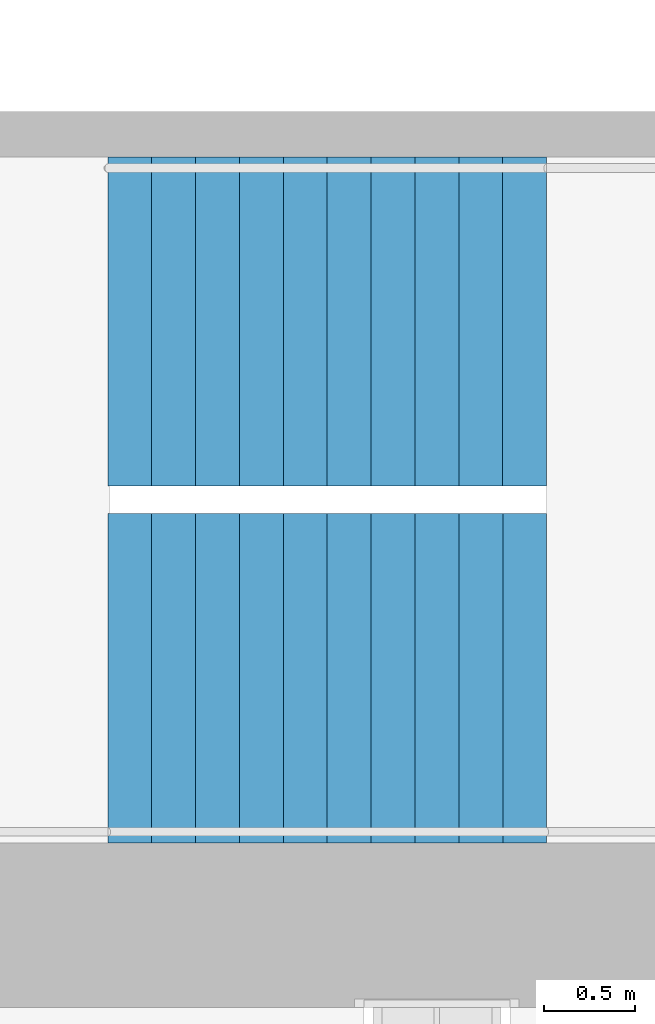
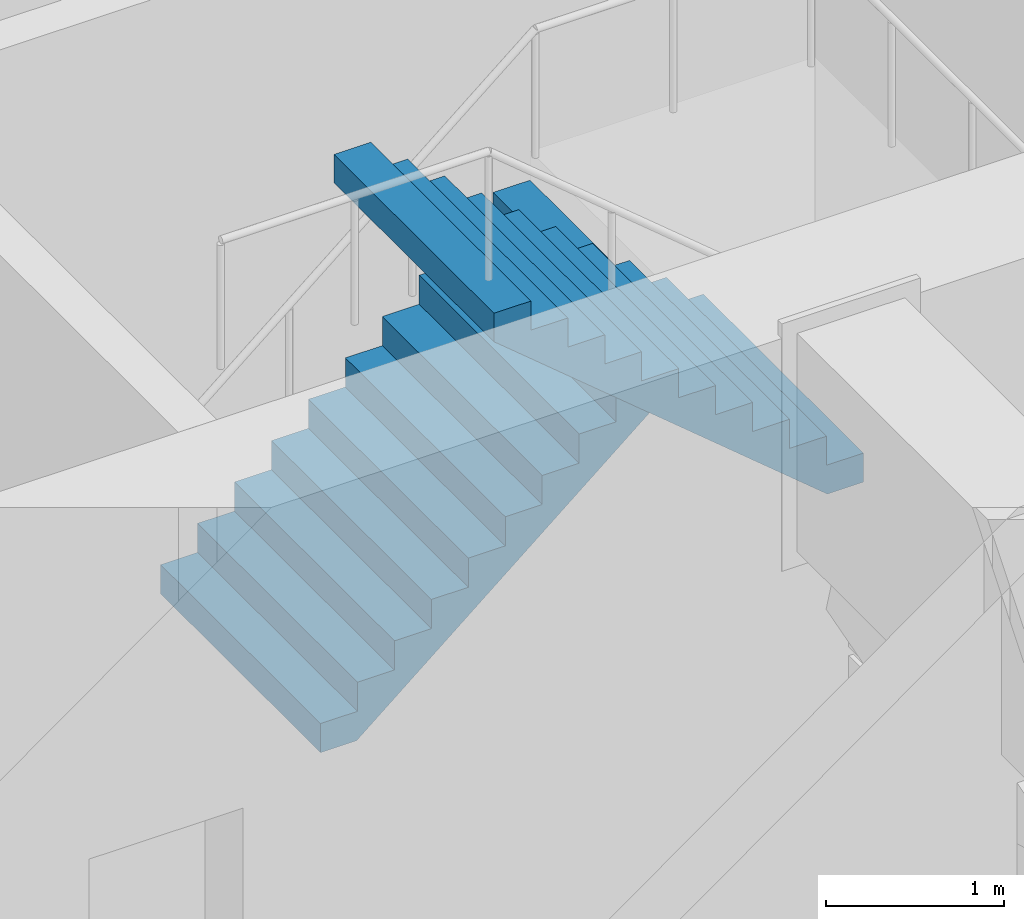
# One storey, part 28 of 31: 2 stair flights, 1 element without a shape of its own.
"""IFC4 building model written with IfcOpenShell, lengths in metres."""

from ifc_helpers import new_model, si_unit, direction, frame, origin, place, context, subcontext, project, spatial, triangles, material, type_object, element, aggregate, save


model = new_model("IFC4")

# Units and contexts
model_context = context("Model", 3, precision=1e-05, world=origin(), true_north=direction((0.0, 1.0)))
body_context = subcontext(model_context, "Body", "Model", "MODEL_VIEW")
ifc_project = project(units=[si_unit("LENGTHUNIT", "METRE"), si_unit("AREAUNIT", "SQUARE_METRE"), si_unit("VOLUMEUNIT", "CUBIC_METRE"), si_unit("PLANEANGLEUNIT", "RADIAN"), si_unit("MASSUNIT", "GRAM", prefix="KILO")], contexts=[model_context])

# Site, building, storey
site_placement = place(None, origin())
site = spatial("IfcSite", under=ifc_project, at=site_placement, CompositionType="ELEMENT")
building_placement = place(site_placement, origin())
building = spatial("IfcBuilding", under=site, at=building_placement, Name="Hakoniwa Tower and Hamabe Station Hall", CompositionType="ELEMENT")
storey_placement = place(building_placement, frame((0.0, 0.0, 120.199951171875)))
storey = spatial("IfcBuildingStorey", under=building, at=storey_placement, Name="L34", CompositionType="ELEMENT", Elevation=120.199951171875)

# Stair, stair flights
ifc_material_1 = material(Name="Concrete C40", Category="concrete")
stair_type = type_object("IfcStairType", Name="ESCAPE STAIR 1800", PredefinedType="HALF_TURN_STAIR", material=ifc_material_1)
stair_placement = place(storey_placement, origin())
stair = element("IfcStair", 1, at=stair_placement, inside=storey, type_object=stair_type, Name="Escape stair ST-4 L34", PredefinedType="HALF_TURN_STAIR")
ifc_material_2 = material(Name="Concrete C40", Category="concrete")
stair_flight_type = type_object("IfcStairFlightType", Name="STAIR FLIGHT 1800", PredefinedType="STRAIGHT", material=ifc_material_2)
stair_flight_1_placement = place(storey_placement, frame((23.39990234375, -4.64990234375, 0.0), z_axis=(0.0, 0.0, 1.0), x_axis=(1.0, 0.0, 0.0)))
stair_flight_1 = element("IfcStairFlight", 2, at=stair_flight_1_placement, type_object=stair_flight_type, Name="ST-4 flight 1", NumberOfRisers=11, NumberOfTreads=10, PredefinedType="STRAIGHT", RiserHeight=0.2, TreadLength=0.24, context=body_context, shape_type="Tessellation", body=[
    triangles([(0.0, 0.89990234375, 0.0), (0.234130859375, 0.89990234375, 0.0), (0.239990234375, 0.89990234375, 0.0048828125), (0.47998046875, 0.89990234375, 0.204833984375), (0.719970703125, 0.89990234375, 0.40478515625), (0.9599609375, 0.89990234375, 0.60498046875), (1.199951171875, 0.89990234375, 0.804931640625), (1.43994140625, 0.89990234375, 1.0048828125), (1.679931640625, 0.89990234375, 1.204833984375), (1.919921875, 0.89990234375, 1.40478515625), (2.159912109375, 0.89990234375, 1.60498046875), (2.39990234375, 0.89990234375, 1.804931640625), (2.39990234375, 0.89990234375, 2.0), (2.159912109375, 0.89990234375, 2.0), (2.159912109375, 0.89990234375, 1.800048828125), (1.919921875, 0.89990234375, 1.800048828125), (1.919921875, 0.89990234375, 1.60009765625), (1.679931640625, 0.89990234375, 1.60009765625), (1.679931640625, 0.89990234375, 1.39990234375), (1.43994140625, 0.89990234375, 1.39990234375), (1.43994140625, 0.89990234375, 1.199951171875), (1.199951171875, 0.89990234375, 1.199951171875), (1.199951171875, 0.89990234375, 1.0), (0.9599609375, 0.89990234375, 1.0), (0.9599609375, 0.89990234375, 0.800048828125), (0.719970703125, 0.89990234375, 0.800048828125), (0.719970703125, 0.89990234375, 0.60009765625), (0.47998046875, 0.89990234375, 0.60009765625), (0.47998046875, 0.89990234375, 0.39990234375), (0.239990234375, 0.89990234375, 0.39990234375), (0.239990234375, 0.89990234375, 0.199951171875), (0.234130859375, 0.89990234375, 0.199951171875), (0.0, 0.89990234375, 0.199951171875), (0.0, 0.06005859375, 0.0), (0.234130859375, 0.06005859375, 0.0), (0.239990234375, 0.06005859375, 0.0048828125), (0.47998046875, 0.06005859375, 0.204833984375), (0.719970703125, 0.06005859375, 0.40478515625), (0.9599609375, 0.06005859375, 0.60498046875), (1.199951171875, 0.06005859375, 0.804931640625), (1.43994140625, 0.06005859375, 1.0048828125), (1.679931640625, 0.06005859375, 1.204833984375), (1.919921875, 0.06005859375, 1.40478515625), (2.159912109375, 0.06005859375, 1.60498046875), (2.39990234375, 0.06005859375, 1.804931640625), (2.39990234375, 0.06005859375, 2.0), (2.159912109375, 0.06005859375, 2.0), (2.159912109375, 0.06005859375, 1.800048828125), (1.919921875, 0.06005859375, 1.800048828125), (1.919921875, 0.06005859375, 1.60009765625), (1.679931640625, 0.06005859375, 1.60009765625), (1.679931640625, 0.06005859375, 1.39990234375), (1.43994140625, 0.06005859375, 1.39990234375), (1.43994140625, 0.06005859375, 1.199951171875), (1.199951171875, 0.06005859375, 1.199951171875), (1.199951171875, 0.06005859375, 1.0), (0.9599609375, 0.06005859375, 1.0), (0.9599609375, 0.06005859375, 0.800048828125), (0.719970703125, 0.06005859375, 0.800048828125), (0.719970703125, 0.06005859375, 0.60009765625), (0.47998046875, 0.06005859375, 0.60009765625), (0.47998046875, 0.06005859375, 0.39990234375), (0.239990234375, 0.06005859375, 0.39990234375), (0.239990234375, 0.06005859375, 0.199951171875), (0.234130859375, 0.06005859375, 0.199951171875), (0.0, 0.06005859375, 0.199951171875), (0.0, 0.02001953125, 0.0), (0.234130859375, 0.02001953125, 0.0), (0.239990234375, 0.02001953125, 0.0048828125), (0.47998046875, 0.02001953125, 0.204833984375), (0.719970703125, 0.02001953125, 0.40478515625), (0.9599609375, 0.02001953125, 0.60498046875), (1.199951171875, 0.02001953125, 0.804931640625), (1.43994140625, 0.02001953125, 1.0048828125), (1.679931640625, 0.02001953125, 1.204833984375), (1.919921875, 0.02001953125, 1.40478515625), (2.159912109375, 0.02001953125, 1.60498046875), (2.39990234375, 0.02001953125, 1.804931640625), (2.39990234375, 0.02001953125, 2.0), (2.159912109375, 0.02001953125, 2.0), (2.159912109375, 0.02001953125, 1.800048828125), (1.919921875, 0.02001953125, 1.800048828125), (1.919921875, 0.02001953125, 1.60009765625), (1.679931640625, 0.02001953125, 1.60009765625), (1.679931640625, 0.02001953125, 1.39990234375), (1.43994140625, 0.02001953125, 1.39990234375), (1.43994140625, 0.02001953125, 1.199951171875), (1.199951171875, 0.02001953125, 1.199951171875), (1.199951171875, 0.02001953125, 1.0), (0.9599609375, 0.02001953125, 1.0), (0.9599609375, 0.02001953125, 0.800048828125), (0.719970703125, 0.02001953125, 0.800048828125), (0.719970703125, 0.02001953125, 0.60009765625), (0.47998046875, 0.02001953125, 0.60009765625), (0.47998046875, 0.02001953125, 0.39990234375), (0.239990234375, 0.02001953125, 0.39990234375), (0.239990234375, 0.02001953125, 0.199951171875), (0.234130859375, 0.02001953125, 0.199951171875), (0.0, 0.02001953125, 0.199951171875), (0.0, -0.02001953125, 0.0), (0.234130859375, -0.02001953125, 0.0), (0.239990234375, -0.02001953125, 0.0048828125), (0.47998046875, -0.02001953125, 0.204833984375), (0.719970703125, -0.02001953125, 0.40478515625), (0.9599609375, -0.02001953125, 0.60498046875), (1.199951171875, -0.02001953125, 0.804931640625), (1.43994140625, -0.02001953125, 1.0048828125), (1.679931640625, -0.02001953125, 1.204833984375), (1.919921875, -0.02001953125, 1.40478515625), (2.159912109375, -0.02001953125, 1.60498046875), (2.39990234375, -0.02001953125, 1.804931640625), (2.39990234375, -0.02001953125, 2.0), (2.159912109375, -0.02001953125, 2.0), (2.159912109375, -0.02001953125, 1.800048828125), (1.919921875, -0.02001953125, 1.800048828125), (1.919921875, -0.02001953125, 1.60009765625), (1.679931640625, -0.02001953125, 1.60009765625), (1.679931640625, -0.02001953125, 1.39990234375), (1.43994140625, -0.02001953125, 1.39990234375), (1.43994140625, -0.02001953125, 1.199951171875), (1.199951171875, -0.02001953125, 1.199951171875), (1.199951171875, -0.02001953125, 1.0), (0.9599609375, -0.02001953125, 1.0), (0.9599609375, -0.02001953125, 0.800048828125), (0.719970703125, -0.02001953125, 0.800048828125), (0.719970703125, -0.02001953125, 0.60009765625), (0.47998046875, -0.02001953125, 0.60009765625), (0.47998046875, -0.02001953125, 0.39990234375), (0.239990234375, -0.02001953125, 0.39990234375), (0.239990234375, -0.02001953125, 0.199951171875), (0.234130859375, -0.02001953125, 0.199951171875), (0.0, -0.02001953125, 0.199951171875), (0.0, -0.06005859375, 0.0), (0.234130859375, -0.06005859375, 0.0), (0.239990234375, -0.06005859375, 0.0048828125), (0.47998046875, -0.06005859375, 0.204833984375), (0.719970703125, -0.06005859375, 0.40478515625), (0.9599609375, -0.06005859375, 0.60498046875), (1.199951171875, -0.06005859375, 0.804931640625), (1.43994140625, -0.06005859375, 1.0048828125), (1.679931640625, -0.06005859375, 1.204833984375), (1.919921875, -0.06005859375, 1.40478515625), (2.159912109375, -0.06005859375, 1.60498046875), (2.39990234375, -0.06005859375, 1.804931640625), (2.39990234375, -0.06005859375, 2.0), (2.159912109375, -0.06005859375, 2.0), (2.159912109375, -0.06005859375, 1.800048828125), (1.919921875, -0.06005859375, 1.800048828125), (1.919921875, -0.06005859375, 1.60009765625), (1.679931640625, -0.06005859375, 1.60009765625), (1.679931640625, -0.06005859375, 1.39990234375), (1.43994140625, -0.06005859375, 1.39990234375), (1.43994140625, -0.06005859375, 1.199951171875), (1.199951171875, -0.06005859375, 1.199951171875), (1.199951171875, -0.06005859375, 1.0), (0.9599609375, -0.06005859375, 1.0), (0.9599609375, -0.06005859375, 0.800048828125), (0.719970703125, -0.06005859375, 0.800048828125), (0.719970703125, -0.06005859375, 0.60009765625), (0.47998046875, -0.06005859375, 0.60009765625), (0.47998046875, -0.06005859375, 0.39990234375), (0.239990234375, -0.06005859375, 0.39990234375), (0.239990234375, -0.06005859375, 0.199951171875), (0.234130859375, -0.06005859375, 0.199951171875), (0.0, -0.06005859375, 0.199951171875), (0.0, -0.89990234375, 0.0), (0.234130859375, -0.89990234375, 0.0), (0.239990234375, -0.89990234375, 0.0048828125), (0.47998046875, -0.89990234375, 0.204833984375), (0.719970703125, -0.89990234375, 0.40478515625), (0.9599609375, -0.89990234375, 0.60498046875), (1.199951171875, -0.89990234375, 0.804931640625), (1.43994140625, -0.89990234375, 1.0048828125), (1.679931640625, -0.89990234375, 1.204833984375), (1.919921875, -0.89990234375, 1.40478515625), (2.159912109375, -0.89990234375, 1.60498046875), (2.39990234375, -0.89990234375, 1.804931640625), (2.39990234375, -0.89990234375, 2.0), (2.159912109375, -0.89990234375, 2.0), (2.159912109375, -0.89990234375, 1.800048828125), (1.919921875, -0.89990234375, 1.800048828125), (1.919921875, -0.89990234375, 1.60009765625), (1.679931640625, -0.89990234375, 1.60009765625), (1.679931640625, -0.89990234375, 1.39990234375), (1.43994140625, -0.89990234375, 1.39990234375), (1.43994140625, -0.89990234375, 1.199951171875), (1.199951171875, -0.89990234375, 1.199951171875), (1.199951171875, -0.89990234375, 1.0), (0.9599609375, -0.89990234375, 1.0), (0.9599609375, -0.89990234375, 0.800048828125), (0.719970703125, -0.89990234375, 0.800048828125), (0.719970703125, -0.89990234375, 0.60009765625), (0.47998046875, -0.89990234375, 0.60009765625), (0.47998046875, -0.89990234375, 0.39990234375), (0.239990234375, -0.89990234375, 0.39990234375), (0.239990234375, -0.89990234375, 0.199951171875), (0.234130859375, -0.89990234375, 0.199951171875), (0.0, -0.89990234375, 0.199951171875)], [[2, 33, 32], [167, 197, 198], [2, 1, 33], [167, 198, 166], [3, 32, 31], [168, 196, 197], [3, 2, 32], [168, 197, 167], [4, 30, 29], [169, 194, 195], [4, 31, 30], [169, 195, 196], [4, 3, 31], [169, 196, 168], [5, 28, 27], [170, 192, 193], [5, 29, 28], [170, 193, 194], [5, 4, 29], [170, 194, 169], [6, 26, 25], [171, 190, 191], [6, 27, 26], [171, 191, 192], [6, 5, 27], [171, 192, 170], [7, 24, 23], [172, 188, 189], [7, 25, 24], [172, 189, 190], [7, 6, 25], [172, 190, 171], [8, 22, 21], [173, 186, 187], [8, 23, 22], [173, 187, 188], [8, 7, 23], [173, 188, 172], [9, 20, 19], [174, 184, 185], [9, 21, 20], [174, 185, 186], [9, 8, 21], [174, 186, 173], [10, 18, 17], [175, 182, 183], [10, 19, 18], [175, 183, 184], [10, 9, 19], [175, 184, 174], [11, 16, 15], [176, 180, 181], [11, 17, 16], [176, 181, 182], [11, 10, 17], [176, 182, 175], [12, 14, 13], [177, 178, 179], [12, 15, 14], [177, 179, 180], [12, 11, 15], [177, 180, 176], [1, 2, 35], [1, 35, 34], [34, 35, 68], [34, 68, 67], [67, 68, 101], [67, 101, 100], [100, 101, 134], [100, 134, 133], [133, 134, 167], [133, 167, 166], [2, 3, 36], [2, 36, 35], [35, 36, 69], [35, 69, 68], [68, 69, 102], [68, 102, 101], [101, 102, 135], [101, 135, 134], [134, 135, 168], [134, 168, 167], [3, 4, 37], [3, 37, 36], [36, 37, 70], [36, 70, 69], [69, 70, 103], [69, 103, 102], [102, 103, 136], [102, 136, 135], [135, 136, 169], [135, 169, 168], [4, 5, 38], [4, 38, 37], [37, 38, 71], [37, 71, 70], [70, 71, 104], [70, 104, 103], [103, 104, 137], [103, 137, 136], [136, 137, 170], [136, 170, 169], [5, 6, 39], [5, 39, 38], [38, 39, 72], [38, 72, 71], [71, 72, 105], [71, 105, 104], [104, 105, 138], [104, 138, 137], [137, 138, 171], [137, 171, 170], [6, 7, 40], [6, 40, 39], [39, 40, 73], [39, 73, 72], [72, 73, 106], [72, 106, 105], [105, 106, 139], [105, 139, 138], [138, 139, 172], [138, 172, 171], [7, 8, 41], [7, 41, 40], [40, 41, 74], [40, 74, 73], [73, 74, 107], [73, 107, 106], [106, 107, 140], [106, 140, 139], [139, 140, 173], [139, 173, 172], [8, 9, 42], [8, 42, 41], [41, 42, 75], [41, 75, 74], [74, 75, 108], [74, 108, 107], [107, 108, 141], [107, 141, 140], [140, 141, 174], [140, 174, 173], [9, 10, 43], [9, 43, 42], [42, 43, 76], [42, 76, 75], [75, 76, 109], [75, 109, 108], [108, 109, 142], [108, 142, 141], [141, 142, 175], [141, 175, 174], [10, 11, 44], [10, 44, 43], [43, 44, 77], [43, 77, 76], [76, 77, 110], [76, 110, 109], [109, 110, 143], [109, 143, 142], [142, 143, 176], [142, 176, 175], [11, 12, 45], [11, 45, 44], [44, 45, 78], [44, 78, 77], [77, 78, 111], [77, 111, 110], [110, 111, 144], [110, 144, 143], [143, 144, 177], [143, 177, 176], [12, 13, 46], [12, 46, 45], [45, 46, 79], [45, 79, 78], [78, 79, 112], [78, 112, 111], [111, 112, 145], [111, 145, 144], [144, 145, 178], [144, 178, 177], [13, 14, 47], [13, 47, 46], [46, 47, 80], [46, 80, 79], [79, 80, 113], [79, 113, 112], [112, 113, 146], [112, 146, 145], [145, 146, 179], [145, 179, 178], [14, 15, 48], [14, 48, 47], [47, 48, 81], [47, 81, 80], [80, 81, 114], [80, 114, 113], [113, 114, 147], [113, 147, 146], [146, 147, 180], [146, 180, 179], [15, 16, 49], [15, 49, 48], [48, 49, 82], [48, 82, 81], [81, 82, 115], [81, 115, 114], [114, 115, 148], [114, 148, 147], [147, 148, 181], [147, 181, 180], [16, 17, 50], [16, 50, 49], [49, 50, 83], [49, 83, 82], [82, 83, 116], [82, 116, 115], [115, 116, 149], [115, 149, 148], [148, 149, 182], [148, 182, 181], [17, 18, 51], [17, 51, 50], [50, 51, 84], [50, 84, 83], [83, 84, 117], [83, 117, 116], [116, 117, 150], [116, 150, 149], [149, 150, 183], [149, 183, 182], [18, 19, 52], [18, 52, 51], [51, 52, 85], [51, 85, 84], [84, 85, 118], [84, 118, 117], [117, 118, 151], [117, 151, 150], [150, 151, 184], [150, 184, 183], [19, 20, 53], [19, 53, 52], [52, 53, 86], [52, 86, 85], [85, 86, 119], [85, 119, 118], [118, 119, 152], [118, 152, 151], [151, 152, 185], [151, 185, 184], [20, 21, 54], [20, 54, 53], [53, 54, 87], [53, 87, 86], [86, 87, 120], [86, 120, 119], [119, 120, 153], [119, 153, 152], [152, 153, 186], [152, 186, 185], [21, 22, 55], [21, 55, 54], [54, 55, 88], [54, 88, 87], [87, 88, 121], [87, 121, 120], [120, 121, 154], [120, 154, 153], [153, 154, 187], [153, 187, 186], [22, 23, 56], [22, 56, 55], [55, 56, 89], [55, 89, 88], [88, 89, 122], [88, 122, 121], [121, 122, 155], [121, 155, 154], [154, 155, 188], [154, 188, 187], [23, 24, 57], [23, 57, 56], [56, 57, 90], [56, 90, 89], [89, 90, 123], [89, 123, 122], [122, 123, 156], [122, 156, 155], [155, 156, 189], [155, 189, 188], [24, 25, 58], [24, 58, 57], [57, 58, 91], [57, 91, 90], [90, 91, 124], [90, 124, 123], [123, 124, 157], [123, 157, 156], [156, 157, 190], [156, 190, 189], [25, 26, 59], [25, 59, 58], [58, 59, 92], [58, 92, 91], [91, 92, 125], [91, 125, 124], [124, 125, 158], [124, 158, 157], [157, 158, 191], [157, 191, 190], [26, 27, 60], [26, 60, 59], [59, 60, 93], [59, 93, 92], [92, 93, 126], [92, 126, 125], [125, 126, 159], [125, 159, 158], [158, 159, 192], [158, 192, 191], [27, 28, 61], [27, 61, 60], [60, 61, 94], [60, 94, 93], [93, 94, 127], [93, 127, 126], [126, 127, 160], [126, 160, 159], [159, 160, 193], [159, 193, 192], [28, 29, 62], [28, 62, 61], [61, 62, 95], [61, 95, 94], [94, 95, 128], [94, 128, 127], [127, 128, 161], [127, 161, 160], [160, 161, 194], [160, 194, 193], [29, 30, 63], [29, 63, 62], [62, 63, 96], [62, 96, 95], [95, 96, 129], [95, 129, 128], [128, 129, 162], [128, 162, 161], [161, 162, 195], [161, 195, 194], [30, 31, 64], [30, 64, 63], [63, 64, 97], [63, 97, 96], [96, 97, 130], [96, 130, 129], [129, 130, 163], [129, 163, 162], [162, 163, 196], [162, 196, 195], [31, 32, 65], [31, 65, 64], [64, 65, 98], [64, 98, 97], [97, 98, 131], [97, 131, 130], [130, 131, 164], [130, 164, 163], [163, 164, 197], [163, 197, 196], [32, 33, 66], [32, 66, 65], [65, 66, 99], [65, 99, 98], [98, 99, 132], [98, 132, 131], [131, 132, 165], [131, 165, 164], [164, 165, 198], [164, 198, 197], [33, 1, 34], [33, 34, 66], [66, 34, 67], [66, 67, 99], [99, 67, 100], [99, 100, 132], [132, 100, 133], [132, 133, 165], [165, 133, 166], [165, 166, 198]], closed=True),
])
stair_flight_2_placement = place(storey_placement, frame((25.800048828125, -6.60009765625, 2.199951171875), z_axis=(0.0, 0.0, 1.0), x_axis=(-1.0, 0.0, 0.0)))
stair_flight_2 = element("IfcStairFlight", 3, at=stair_flight_2_placement, type_object=stair_flight_type, Name="ST-4 flight 2", NumberOfRisers=11, NumberOfTreads=10, PredefinedType="STRAIGHT", RiserHeight=0.2, TreadLength=0.24, context=body_context, shape_type="Tessellation", body=[
    triangles([(0.0, 0.89990234375, 0.0), (0.234130859375, 0.89990234375, 0.0), (0.239990234375, 0.89990234375, 0.0048828125), (0.47998046875, 0.89990234375, 0.204833984375), (0.719970703125, 0.89990234375, 0.40478515625), (0.9599609375, 0.89990234375, 0.60498046875), (1.199951171875, 0.89990234375, 0.804931640625), (1.43994140625, 0.89990234375, 1.0048828125), (1.679931640625, 0.89990234375, 1.204833984375), (1.919921875, 0.89990234375, 1.40478515625), (2.159912109375, 0.89990234375, 1.60498046875), (2.39990234375, 0.89990234375, 1.804931640625), (2.39990234375, 0.89990234375, 2.0), (2.159912109375, 0.89990234375, 2.0), (2.159912109375, 0.89990234375, 1.800048828125), (1.919921875, 0.89990234375, 1.800048828125), (1.919921875, 0.89990234375, 1.60009765625), (1.679931640625, 0.89990234375, 1.60009765625), (1.679931640625, 0.89990234375, 1.39990234375), (1.43994140625, 0.89990234375, 1.39990234375), (1.43994140625, 0.89990234375, 1.199951171875), (1.199951171875, 0.89990234375, 1.199951171875), (1.199951171875, 0.89990234375, 1.0), (0.9599609375, 0.89990234375, 1.0), (0.9599609375, 0.89990234375, 0.800048828125), (0.719970703125, 0.89990234375, 0.800048828125), (0.719970703125, 0.89990234375, 0.60009765625), (0.47998046875, 0.89990234375, 0.60009765625), (0.47998046875, 0.89990234375, 0.39990234375), (0.239990234375, 0.89990234375, 0.39990234375), (0.239990234375, 0.89990234375, 0.199951171875), (0.234130859375, 0.89990234375, 0.199951171875), (0.0, 0.89990234375, 0.199951171875), (0.0, 0.06005859375, 0.0), (0.234130859375, 0.06005859375, 0.0), (0.239990234375, 0.06005859375, 0.0048828125), (0.47998046875, 0.06005859375, 0.204833984375), (0.719970703125, 0.06005859375, 0.40478515625), (0.9599609375, 0.06005859375, 0.60498046875), (1.199951171875, 0.06005859375, 0.804931640625), (1.43994140625, 0.06005859375, 1.0048828125), (1.679931640625, 0.06005859375, 1.204833984375), (1.919921875, 0.06005859375, 1.40478515625), (2.159912109375, 0.06005859375, 1.60498046875), (2.39990234375, 0.06005859375, 1.804931640625), (2.39990234375, 0.06005859375, 2.0), (2.159912109375, 0.06005859375, 2.0), (2.159912109375, 0.06005859375, 1.800048828125), (1.919921875, 0.06005859375, 1.800048828125), (1.919921875, 0.06005859375, 1.60009765625), (1.679931640625, 0.06005859375, 1.60009765625), (1.679931640625, 0.06005859375, 1.39990234375), (1.43994140625, 0.06005859375, 1.39990234375), (1.43994140625, 0.06005859375, 1.199951171875), (1.199951171875, 0.06005859375, 1.199951171875), (1.199951171875, 0.06005859375, 1.0), (0.9599609375, 0.06005859375, 1.0), (0.9599609375, 0.06005859375, 0.800048828125), (0.719970703125, 0.06005859375, 0.800048828125), (0.719970703125, 0.06005859375, 0.60009765625), (0.47998046875, 0.06005859375, 0.60009765625), (0.47998046875, 0.06005859375, 0.39990234375), (0.239990234375, 0.06005859375, 0.39990234375), (0.239990234375, 0.06005859375, 0.199951171875), (0.234130859375, 0.06005859375, 0.199951171875), (0.0, 0.06005859375, 0.199951171875), (0.0, 0.02001953125, 0.0), (0.234130859375, 0.02001953125, 0.0), (0.239990234375, 0.02001953125, 0.0048828125), (0.47998046875, 0.02001953125, 0.204833984375), (0.719970703125, 0.02001953125, 0.40478515625), (0.9599609375, 0.02001953125, 0.60498046875), (1.199951171875, 0.02001953125, 0.804931640625), (1.43994140625, 0.02001953125, 1.0048828125), (1.679931640625, 0.02001953125, 1.204833984375), (1.919921875, 0.02001953125, 1.40478515625), (2.159912109375, 0.02001953125, 1.60498046875), (2.39990234375, 0.02001953125, 1.804931640625), (2.39990234375, 0.02001953125, 2.0), (2.159912109375, 0.02001953125, 2.0), (2.159912109375, 0.02001953125, 1.800048828125), (1.919921875, 0.02001953125, 1.800048828125), (1.919921875, 0.02001953125, 1.60009765625), (1.679931640625, 0.02001953125, 1.60009765625), (1.679931640625, 0.02001953125, 1.39990234375), (1.43994140625, 0.02001953125, 1.39990234375), (1.43994140625, 0.02001953125, 1.199951171875), (1.199951171875, 0.02001953125, 1.199951171875), (1.199951171875, 0.02001953125, 1.0), (0.9599609375, 0.02001953125, 1.0), (0.9599609375, 0.02001953125, 0.800048828125), (0.719970703125, 0.02001953125, 0.800048828125), (0.719970703125, 0.02001953125, 0.60009765625), (0.47998046875, 0.02001953125, 0.60009765625), (0.47998046875, 0.02001953125, 0.39990234375), (0.239990234375, 0.02001953125, 0.39990234375), (0.239990234375, 0.02001953125, 0.199951171875), (0.234130859375, 0.02001953125, 0.199951171875), (0.0, 0.02001953125, 0.199951171875), (0.0, -0.02001953125, 0.0), (0.234130859375, -0.02001953125, 0.0), (0.239990234375, -0.02001953125, 0.0048828125), (0.47998046875, -0.02001953125, 0.204833984375), (0.719970703125, -0.02001953125, 0.40478515625), (0.9599609375, -0.02001953125, 0.60498046875), (1.199951171875, -0.02001953125, 0.804931640625), (1.43994140625, -0.02001953125, 1.0048828125), (1.679931640625, -0.02001953125, 1.204833984375), (1.919921875, -0.02001953125, 1.40478515625), (2.159912109375, -0.02001953125, 1.60498046875), (2.39990234375, -0.02001953125, 1.804931640625), (2.39990234375, -0.02001953125, 2.0), (2.159912109375, -0.02001953125, 2.0), (2.159912109375, -0.02001953125, 1.800048828125), (1.919921875, -0.02001953125, 1.800048828125), (1.919921875, -0.02001953125, 1.60009765625), (1.679931640625, -0.02001953125, 1.60009765625), (1.679931640625, -0.02001953125, 1.39990234375), (1.43994140625, -0.02001953125, 1.39990234375), (1.43994140625, -0.02001953125, 1.199951171875), (1.199951171875, -0.02001953125, 1.199951171875), (1.199951171875, -0.02001953125, 1.0), (0.9599609375, -0.02001953125, 1.0), (0.9599609375, -0.02001953125, 0.800048828125), (0.719970703125, -0.02001953125, 0.800048828125), (0.719970703125, -0.02001953125, 0.60009765625), (0.47998046875, -0.02001953125, 0.60009765625), (0.47998046875, -0.02001953125, 0.39990234375), (0.239990234375, -0.02001953125, 0.39990234375), (0.239990234375, -0.02001953125, 0.199951171875), (0.234130859375, -0.02001953125, 0.199951171875), (0.0, -0.02001953125, 0.199951171875), (0.0, -0.06005859375, 0.0), (0.234130859375, -0.06005859375, 0.0), (0.239990234375, -0.06005859375, 0.0048828125), (0.47998046875, -0.06005859375, 0.204833984375), (0.719970703125, -0.06005859375, 0.40478515625), (0.9599609375, -0.06005859375, 0.60498046875), (1.199951171875, -0.06005859375, 0.804931640625), (1.43994140625, -0.06005859375, 1.0048828125), (1.679931640625, -0.06005859375, 1.204833984375), (1.919921875, -0.06005859375, 1.40478515625), (2.159912109375, -0.06005859375, 1.60498046875), (2.39990234375, -0.06005859375, 1.804931640625), (2.39990234375, -0.06005859375, 2.0), (2.159912109375, -0.06005859375, 2.0), (2.159912109375, -0.06005859375, 1.800048828125), (1.919921875, -0.06005859375, 1.800048828125), (1.919921875, -0.06005859375, 1.60009765625), (1.679931640625, -0.06005859375, 1.60009765625), (1.679931640625, -0.06005859375, 1.39990234375), (1.43994140625, -0.06005859375, 1.39990234375), (1.43994140625, -0.06005859375, 1.199951171875), (1.199951171875, -0.06005859375, 1.199951171875), (1.199951171875, -0.06005859375, 1.0), (0.9599609375, -0.06005859375, 1.0), (0.9599609375, -0.06005859375, 0.800048828125), (0.719970703125, -0.06005859375, 0.800048828125), (0.719970703125, -0.06005859375, 0.60009765625), (0.47998046875, -0.06005859375, 0.60009765625), (0.47998046875, -0.06005859375, 0.39990234375), (0.239990234375, -0.06005859375, 0.39990234375), (0.239990234375, -0.06005859375, 0.199951171875), (0.234130859375, -0.06005859375, 0.199951171875), (0.0, -0.06005859375, 0.199951171875), (0.0, -0.89990234375, 0.0), (0.234130859375, -0.89990234375, 0.0), (0.239990234375, -0.89990234375, 0.0048828125), (0.47998046875, -0.89990234375, 0.204833984375), (0.719970703125, -0.89990234375, 0.40478515625), (0.9599609375, -0.89990234375, 0.60498046875), (1.199951171875, -0.89990234375, 0.804931640625), (1.43994140625, -0.89990234375, 1.0048828125), (1.679931640625, -0.89990234375, 1.204833984375), (1.919921875, -0.89990234375, 1.40478515625), (2.159912109375, -0.89990234375, 1.60498046875), (2.39990234375, -0.89990234375, 1.804931640625), (2.39990234375, -0.89990234375, 2.0), (2.159912109375, -0.89990234375, 2.0), (2.159912109375, -0.89990234375, 1.800048828125), (1.919921875, -0.89990234375, 1.800048828125), (1.919921875, -0.89990234375, 1.60009765625), (1.679931640625, -0.89990234375, 1.60009765625), (1.679931640625, -0.89990234375, 1.39990234375), (1.43994140625, -0.89990234375, 1.39990234375), (1.43994140625, -0.89990234375, 1.199951171875), (1.199951171875, -0.89990234375, 1.199951171875), (1.199951171875, -0.89990234375, 1.0), (0.9599609375, -0.89990234375, 1.0), (0.9599609375, -0.89990234375, 0.800048828125), (0.719970703125, -0.89990234375, 0.800048828125), (0.719970703125, -0.89990234375, 0.60009765625), (0.47998046875, -0.89990234375, 0.60009765625), (0.47998046875, -0.89990234375, 0.39990234375), (0.239990234375, -0.89990234375, 0.39990234375), (0.239990234375, -0.89990234375, 0.199951171875), (0.234130859375, -0.89990234375, 0.199951171875), (0.0, -0.89990234375, 0.199951171875)], [[2, 33, 32], [167, 197, 198], [2, 1, 33], [167, 198, 166], [3, 32, 31], [168, 196, 197], [3, 2, 32], [168, 197, 167], [4, 30, 29], [169, 194, 195], [4, 31, 30], [169, 195, 196], [4, 3, 31], [169, 196, 168], [5, 28, 27], [170, 192, 193], [5, 29, 28], [170, 193, 194], [5, 4, 29], [170, 194, 169], [6, 26, 25], [171, 190, 191], [6, 27, 26], [171, 191, 192], [6, 5, 27], [171, 192, 170], [7, 24, 23], [172, 188, 189], [7, 25, 24], [172, 189, 190], [7, 6, 25], [172, 190, 171], [8, 22, 21], [173, 186, 187], [8, 23, 22], [173, 187, 188], [8, 7, 23], [173, 188, 172], [9, 20, 19], [174, 184, 185], [9, 21, 20], [174, 185, 186], [9, 8, 21], [174, 186, 173], [10, 18, 17], [175, 182, 183], [10, 19, 18], [175, 183, 184], [10, 9, 19], [175, 184, 174], [11, 16, 15], [176, 180, 181], [11, 17, 16], [176, 181, 182], [11, 10, 17], [176, 182, 175], [12, 14, 13], [177, 178, 179], [12, 15, 14], [177, 179, 180], [12, 11, 15], [177, 180, 176], [1, 2, 35], [1, 35, 34], [34, 35, 68], [34, 68, 67], [67, 68, 101], [67, 101, 100], [100, 101, 134], [100, 134, 133], [133, 134, 167], [133, 167, 166], [2, 3, 36], [2, 36, 35], [35, 36, 69], [35, 69, 68], [68, 69, 102], [68, 102, 101], [101, 102, 135], [101, 135, 134], [134, 135, 168], [134, 168, 167], [3, 4, 37], [3, 37, 36], [36, 37, 70], [36, 70, 69], [69, 70, 103], [69, 103, 102], [102, 103, 136], [102, 136, 135], [135, 136, 169], [135, 169, 168], [4, 5, 38], [4, 38, 37], [37, 38, 71], [37, 71, 70], [70, 71, 104], [70, 104, 103], [103, 104, 137], [103, 137, 136], [136, 137, 170], [136, 170, 169], [5, 6, 39], [5, 39, 38], [38, 39, 72], [38, 72, 71], [71, 72, 105], [71, 105, 104], [104, 105, 138], [104, 138, 137], [137, 138, 171], [137, 171, 170], [6, 7, 40], [6, 40, 39], [39, 40, 73], [39, 73, 72], [72, 73, 106], [72, 106, 105], [105, 106, 139], [105, 139, 138], [138, 139, 172], [138, 172, 171], [7, 8, 41], [7, 41, 40], [40, 41, 74], [40, 74, 73], [73, 74, 107], [73, 107, 106], [106, 107, 140], [106, 140, 139], [139, 140, 173], [139, 173, 172], [8, 9, 42], [8, 42, 41], [41, 42, 75], [41, 75, 74], [74, 75, 108], [74, 108, 107], [107, 108, 141], [107, 141, 140], [140, 141, 174], [140, 174, 173], [9, 10, 43], [9, 43, 42], [42, 43, 76], [42, 76, 75], [75, 76, 109], [75, 109, 108], [108, 109, 142], [108, 142, 141], [141, 142, 175], [141, 175, 174], [10, 11, 44], [10, 44, 43], [43, 44, 77], [43, 77, 76], [76, 77, 110], [76, 110, 109], [109, 110, 143], [109, 143, 142], [142, 143, 176], [142, 176, 175], [11, 12, 45], [11, 45, 44], [44, 45, 78], [44, 78, 77], [77, 78, 111], [77, 111, 110], [110, 111, 144], [110, 144, 143], [143, 144, 177], [143, 177, 176], [12, 13, 46], [12, 46, 45], [45, 46, 79], [45, 79, 78], [78, 79, 112], [78, 112, 111], [111, 112, 145], [111, 145, 144], [144, 145, 178], [144, 178, 177], [13, 14, 47], [13, 47, 46], [46, 47, 80], [46, 80, 79], [79, 80, 113], [79, 113, 112], [112, 113, 146], [112, 146, 145], [145, 146, 179], [145, 179, 178], [14, 15, 48], [14, 48, 47], [47, 48, 81], [47, 81, 80], [80, 81, 114], [80, 114, 113], [113, 114, 147], [113, 147, 146], [146, 147, 180], [146, 180, 179], [15, 16, 49], [15, 49, 48], [48, 49, 82], [48, 82, 81], [81, 82, 115], [81, 115, 114], [114, 115, 148], [114, 148, 147], [147, 148, 181], [147, 181, 180], [16, 17, 50], [16, 50, 49], [49, 50, 83], [49, 83, 82], [82, 83, 116], [82, 116, 115], [115, 116, 149], [115, 149, 148], [148, 149, 182], [148, 182, 181], [17, 18, 51], [17, 51, 50], [50, 51, 84], [50, 84, 83], [83, 84, 117], [83, 117, 116], [116, 117, 150], [116, 150, 149], [149, 150, 183], [149, 183, 182], [18, 19, 52], [18, 52, 51], [51, 52, 85], [51, 85, 84], [84, 85, 118], [84, 118, 117], [117, 118, 151], [117, 151, 150], [150, 151, 184], [150, 184, 183], [19, 20, 53], [19, 53, 52], [52, 53, 86], [52, 86, 85], [85, 86, 119], [85, 119, 118], [118, 119, 152], [118, 152, 151], [151, 152, 185], [151, 185, 184], [20, 21, 54], [20, 54, 53], [53, 54, 87], [53, 87, 86], [86, 87, 120], [86, 120, 119], [119, 120, 153], [119, 153, 152], [152, 153, 186], [152, 186, 185], [21, 22, 55], [21, 55, 54], [54, 55, 88], [54, 88, 87], [87, 88, 121], [87, 121, 120], [120, 121, 154], [120, 154, 153], [153, 154, 187], [153, 187, 186], [22, 23, 56], [22, 56, 55], [55, 56, 89], [55, 89, 88], [88, 89, 122], [88, 122, 121], [121, 122, 155], [121, 155, 154], [154, 155, 188], [154, 188, 187], [23, 24, 57], [23, 57, 56], [56, 57, 90], [56, 90, 89], [89, 90, 123], [89, 123, 122], [122, 123, 156], [122, 156, 155], [155, 156, 189], [155, 189, 188], [24, 25, 58], [24, 58, 57], [57, 58, 91], [57, 91, 90], [90, 91, 124], [90, 124, 123], [123, 124, 157], [123, 157, 156], [156, 157, 190], [156, 190, 189], [25, 26, 59], [25, 59, 58], [58, 59, 92], [58, 92, 91], [91, 92, 125], [91, 125, 124], [124, 125, 158], [124, 158, 157], [157, 158, 191], [157, 191, 190], [26, 27, 60], [26, 60, 59], [59, 60, 93], [59, 93, 92], [92, 93, 126], [92, 126, 125], [125, 126, 159], [125, 159, 158], [158, 159, 192], [158, 192, 191], [27, 28, 61], [27, 61, 60], [60, 61, 94], [60, 94, 93], [93, 94, 127], [93, 127, 126], [126, 127, 160], [126, 160, 159], [159, 160, 193], [159, 193, 192], [28, 29, 62], [28, 62, 61], [61, 62, 95], [61, 95, 94], [94, 95, 128], [94, 128, 127], [127, 128, 161], [127, 161, 160], [160, 161, 194], [160, 194, 193], [29, 30, 63], [29, 63, 62], [62, 63, 96], [62, 96, 95], [95, 96, 129], [95, 129, 128], [128, 129, 162], [128, 162, 161], [161, 162, 195], [161, 195, 194], [30, 31, 64], [30, 64, 63], [63, 64, 97], [63, 97, 96], [96, 97, 130], [96, 130, 129], [129, 130, 163], [129, 163, 162], [162, 163, 196], [162, 196, 195], [31, 32, 65], [31, 65, 64], [64, 65, 98], [64, 98, 97], [97, 98, 131], [97, 131, 130], [130, 131, 164], [130, 164, 163], [163, 164, 197], [163, 197, 196], [32, 33, 66], [32, 66, 65], [65, 66, 99], [65, 99, 98], [98, 99, 132], [98, 132, 131], [131, 132, 165], [131, 165, 164], [164, 165, 198], [164, 198, 197], [33, 1, 34], [33, 34, 66], [66, 34, 67], [66, 67, 99], [99, 67, 100], [99, 100, 132], [132, 100, 133], [132, 133, 165], [165, 133, 166], [165, 166, 198]], closed=True),
])
aggregate(stair, [stair_flight_1, stair_flight_2])

save(model, "model.ifc")
